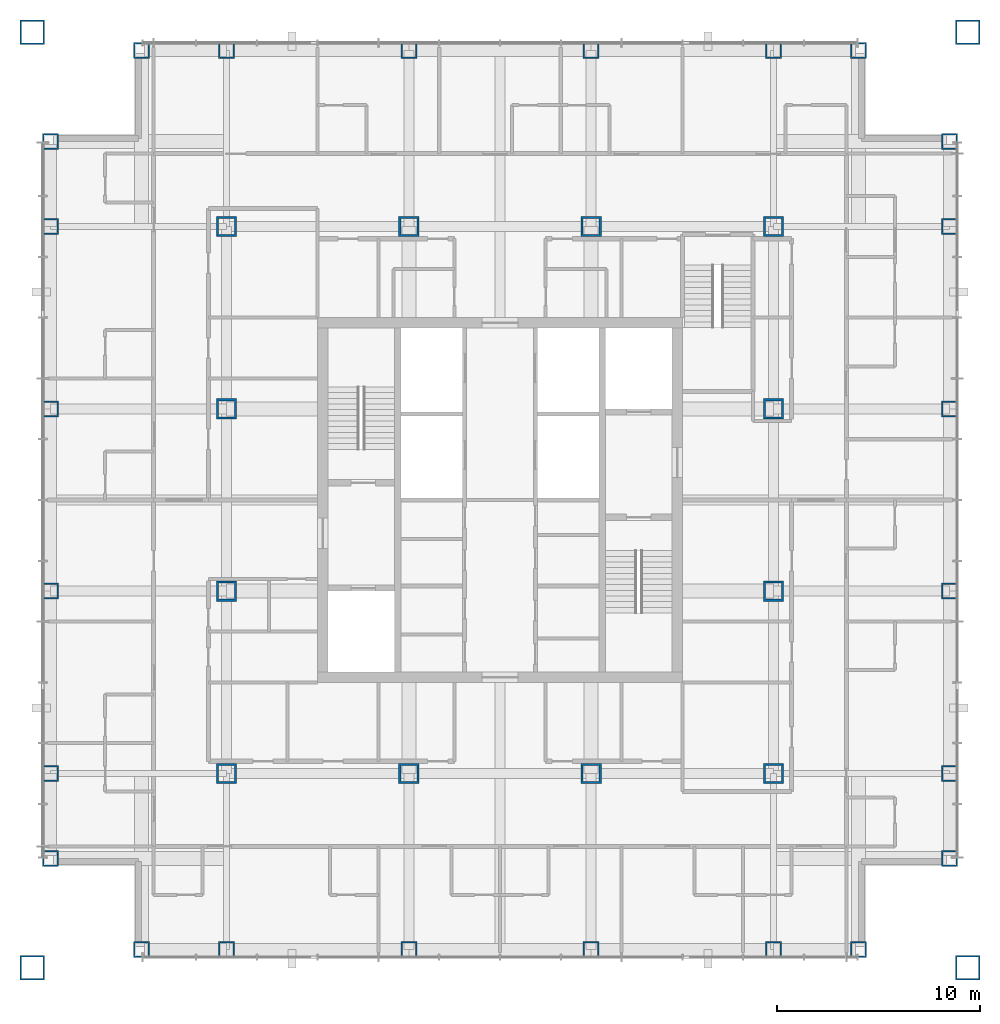
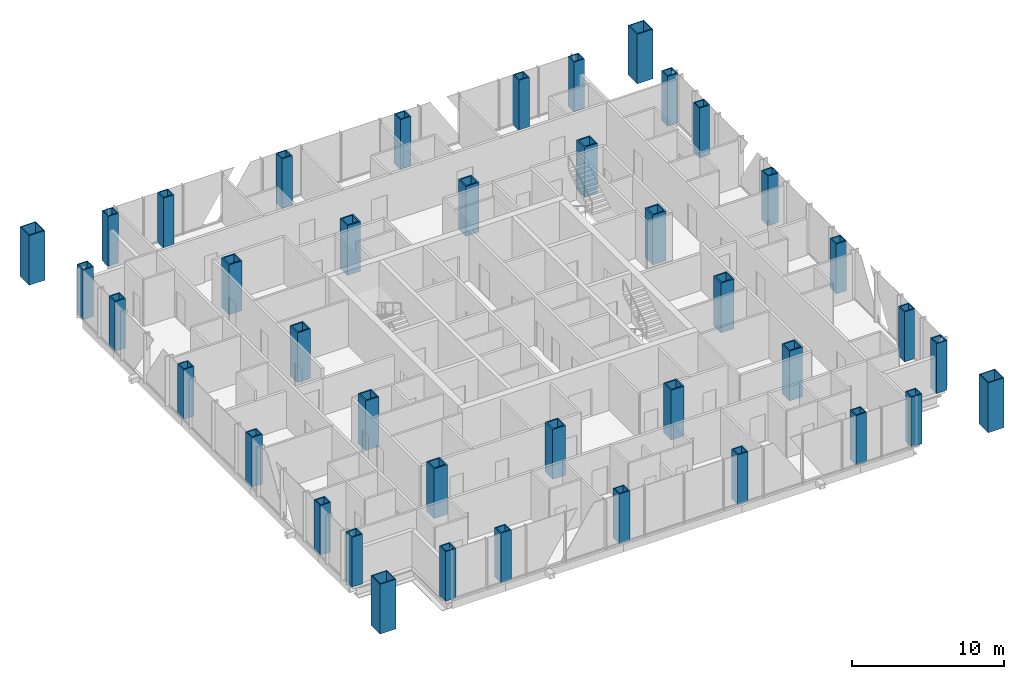
# One storey, part 1 of 21: 40 columns.
"""IFC4 building model written with IfcOpenShell, lengths in metres."""

from ifc_helpers import new_model, si_unit, direction, frame, origin, origin_2d, place, context, subcontext, project, spatial, hollow_rectangle, extrude, material, material_profile, profile_set, type_object, element, save


model = new_model("IFC4")

# Units and contexts
model_context = context("Model", 3, precision=1e-05, world=origin(), true_north=direction((0.0, 1.0)))
body_context = subcontext(model_context, "Body", "Model", "MODEL_VIEW")
ifc_project = project(units=[si_unit("LENGTHUNIT", "METRE"), si_unit("AREAUNIT", "SQUARE_METRE"), si_unit("VOLUMEUNIT", "CUBIC_METRE"), si_unit("PLANEANGLEUNIT", "RADIAN"), si_unit("MASSUNIT", "GRAM", prefix="KILO")], contexts=[model_context])

# Site, building, storey
site_placement = place(None, origin())
site = spatial("IfcSite", under=ifc_project, at=site_placement, CompositionType="ELEMENT")
building_placement = place(site_placement, origin())
building = spatial("IfcBuilding", under=site, at=building_placement, Name="Malebo Sky Hospital", CompositionType="ELEMENT")
storey_placement = place(building_placement, frame((0.0, 0.0, 229.0)))
storey = spatial("IfcBuildingStorey", under=building, at=storey_placement, Name="L55", CompositionType="ELEMENT", Elevation=229.0)

# Columns
ifc_material = material(Name="Steel S460", Category="steel")
ifc_material_profile_1 = material_profile(ifc_material, hollow_rectangle(XDim=1.0, YDim=1.0, WallThickness=0.10009765625, at=origin_2d()), Name="BOX 1000x1000x100")
ifc_profile_set_1 = profile_set([ifc_material_profile_1], Name="Steel S460")
column_type_1 = type_object("IfcColumnType", Name="INNER COLUMN BOX 1000x1000x100", PredefinedType="COLUMN", material=ifc_profile_set_1)
for number, where, z_axis, x_axis, name in (
    (1, (46.5, 48.5, 0.0), (0.0, 0.0, 1.0), (1.0, 0.0, 0.0), "Column IC9 L55"),
    (2, (73.5, 48.5, 0.0), (0.0, 0.0, 1.0), (1.0, 0.0, 0.0), "Column IC9 L55"),
    (3, (73.5, 75.5, 0.0), (0.0, 0.0, 1.0), (1.0, 0.0, 0.0), "Column IC9 L55"),
    (4, (46.5, 75.5, 0.0), (0.0, 0.0, 1.0), (1.0, 0.0, 0.0), "Column IC9 L55"),
    (5, (55.5, 48.5, 0.0), (0.0, 0.0, 1.0), (1.0, 0.0, 0.0), "Column IC9 L55"),
    (6, (64.5, 48.5, 0.0), (0.0, 0.0, 1.0), (1.0, 0.0, 0.0), "Column IC9 L55"),
    (7, (55.5, 75.5, 0.0), (0.0, 0.0, 1.0), (1.0, 0.0, 0.0), "Column IC9 L55"),
    (8, (64.5, 75.5, 0.0), (0.0, 0.0, 1.0), (1.0, 0.0, 0.0), "Column IC9 L55"),
    (9, (46.5, 57.5, 0.0), (0.0, 0.0, 1.0), (1.0, 0.0, 0.0), "Column IC9 L55"),
    (10, (46.5, 66.5, 0.0), (0.0, 0.0, 1.0), (1.0, 0.0, 0.0), "Column IC9 L55"),
    (11, (73.5, 57.5, 0.0), (0.0, 0.0, 1.0), (1.0, 0.0, 0.0), "Column IC9 L55"),
    (12, (73.5, 66.5, 0.0), (0.0, 0.0, 1.0), (1.0, 0.0, 0.0), "Column IC9 L55"),
):
    element("IfcColumn", number, at=place(storey_placement, frame(where, z_axis=z_axis, x_axis=x_axis)), inside=storey, type_object=column_type_1, Name=name, PredefinedType="COLUMN", context=body_context, shape_type="SweptSolid", body=[
        extrude(hollow_rectangle(XDim=1.0, YDim=1.0, WallThickness=0.10009765625, at=origin_2d()), origin(), (0.0, 0.0, 1.0), 4.0),
    ])
ifc_material_profile_2 = material_profile(ifc_material, hollow_rectangle(XDim=1.199951171875, YDim=1.199951171875, WallThickness=0.070068359375, at=origin_2d()), Name="BOX 1200x1200x70")
ifc_profile_set_2 = profile_set([ifc_material_profile_2], Name="Steel S460")
column_type_2 = type_object("IfcColumnType", Name="MEGA COLUMN BOX 1200x1200x70", PredefinedType="COLUMN", material=ifc_profile_set_2)
for number, where, z_axis, x_axis, name in (
    (13, (36.89990234375, 38.89990234375, 0.0), (0.0, 0.0, 1.0), (1.0, 0.0, 0.0), "Mega column SW L55"),
    (14, (83.10009765625, 38.89990234375, 0.0), (0.0, 0.0, 1.0), (1.0, 0.0, 0.0), "Mega column SE L55"),
    (15, (83.10009765625, 85.10009765625, 0.0), (0.0, 0.0, 1.0), (1.0, 0.0, 0.0), "Mega column NE L55"),
    (16, (36.89990234375, 85.10009765625, 0.0), (0.0, 0.0, 1.0), (1.0, 0.0, 0.0), "Mega column NW L55"),
):
    element("IfcColumn", number, at=place(storey_placement, frame(where, z_axis=z_axis, x_axis=x_axis)), inside=storey, type_object=column_type_2, Name=name, PredefinedType="COLUMN", context=body_context, shape_type="SweptSolid", body=[
        extrude(hollow_rectangle(XDim=1.199951171875, YDim=1.199951171875, WallThickness=0.070068359375, at=origin_2d()), origin(), (0.0, 0.0, 1.0), 4.0),
    ])
ifc_material_profile_3 = material_profile(ifc_material, hollow_rectangle(XDim=0.800048828125, YDim=0.800048828125, WallThickness=0.080078125, at=origin_2d()), Name="BOX 800x800x80")
ifc_profile_set_3 = profile_set([ifc_material_profile_3], Name="Steel S460")
column_type_3 = type_object("IfcColumnType", Name="PERIMETER COLUMN BOX 800x800x80", PredefinedType="COLUMN", material=ifc_profile_set_3)
for number, where, z_axis, x_axis, name in (
    (17, (42.300048828125, 39.800048828125, 0.0), (0.0, 0.0, 1.0), (1.0, 0.0, 0.0), "Column PC7 L55"),
    (18, (42.300048828125, 84.199951171875, 0.0), (0.0, 0.0, 1.0), (1.0, 0.0, 0.0), "Column PC7 L55"),
    (19, (37.800048828125, 44.300048828125, 0.0), (0.0, 0.0, 1.0), (1.0, 0.0, 0.0), "Column PC7 L55"),
    (20, (82.199951171875, 44.300048828125, 0.0), (0.0, 0.0, 1.0), (1.0, 0.0, 0.0), "Column PC7 L55"),
    (21, (46.5, 39.800048828125, 0.0), (0.0, 0.0, 1.0), (1.0, 0.0, 0.0), "Column PC7 L55"),
    (22, (46.5, 84.199951171875, 0.0), (0.0, 0.0, 1.0), (1.0, 0.0, 0.0), "Column PC7 L55"),
    (23, (37.800048828125, 48.5, 0.0), (0.0, 0.0, 1.0), (1.0, 0.0, 0.0), "Column PC7 L55"),
    (24, (82.199951171875, 48.5, 0.0), (0.0, 0.0, 1.0), (1.0, 0.0, 0.0), "Column PC7 L55"),
    (25, (55.5, 39.800048828125, 0.0), (0.0, 0.0, 1.0), (1.0, 0.0, 0.0), "Column PC7 L55"),
    (26, (55.5, 84.199951171875, 0.0), (0.0, 0.0, 1.0), (1.0, 0.0, 0.0), "Column PC7 L55"),
    (27, (37.800048828125, 57.5, 0.0), (0.0, 0.0, 1.0), (1.0, 0.0, 0.0), "Column PC7 L55"),
    (28, (82.199951171875, 57.5, 0.0), (0.0, 0.0, 1.0), (1.0, 0.0, 0.0), "Column PC7 L55"),
    (29, (64.5, 39.800048828125, 0.0), (0.0, 0.0, 1.0), (1.0, 0.0, 0.0), "Column PC7 L55"),
    (30, (64.5, 84.199951171875, 0.0), (0.0, 0.0, 1.0), (1.0, 0.0, 0.0), "Column PC7 L55"),
    (31, (37.800048828125, 66.5, 0.0), (0.0, 0.0, 1.0), (1.0, 0.0, 0.0), "Column PC7 L55"),
    (32, (82.199951171875, 66.5, 0.0), (0.0, 0.0, 1.0), (1.0, 0.0, 0.0), "Column PC7 L55"),
    (33, (73.5, 39.800048828125, 0.0), (0.0, 0.0, 1.0), (1.0, 0.0, 0.0), "Column PC7 L55"),
    (34, (73.5, 84.199951171875, 0.0), (0.0, 0.0, 1.0), (1.0, 0.0, 0.0), "Column PC7 L55"),
    (35, (37.800048828125, 75.5, 0.0), (0.0, 0.0, 1.0), (1.0, 0.0, 0.0), "Column PC7 L55"),
    (36, (82.199951171875, 75.5, 0.0), (0.0, 0.0, 1.0), (1.0, 0.0, 0.0), "Column PC7 L55"),
    (37, (77.699951171875, 39.800048828125, 0.0), (0.0, 0.0, 1.0), (1.0, 0.0, 0.0), "Column PC7 L55"),
    (38, (77.699951171875, 84.199951171875, 0.0), (0.0, 0.0, 1.0), (1.0, 0.0, 0.0), "Column PC7 L55"),
    (39, (37.800048828125, 79.699951171875, 0.0), (0.0, 0.0, 1.0), (1.0, 0.0, 0.0), "Column PC7 L55"),
    (40, (82.199951171875, 79.699951171875, 0.0), (0.0, 0.0, 1.0), (1.0, 0.0, 0.0), "Column PC7 L55"),
):
    element("IfcColumn", number, at=place(storey_placement, frame(where, z_axis=z_axis, x_axis=x_axis)), inside=storey, type_object=column_type_3, Name=name, PredefinedType="COLUMN", context=body_context, shape_type="SweptSolid", body=[
        extrude(hollow_rectangle(XDim=0.800048828125, YDim=0.800048828125, WallThickness=0.080078125, at=origin_2d()), origin(), (0.0, 0.0, 1.0), 4.0),
    ])

save(model, "model.ifc")
